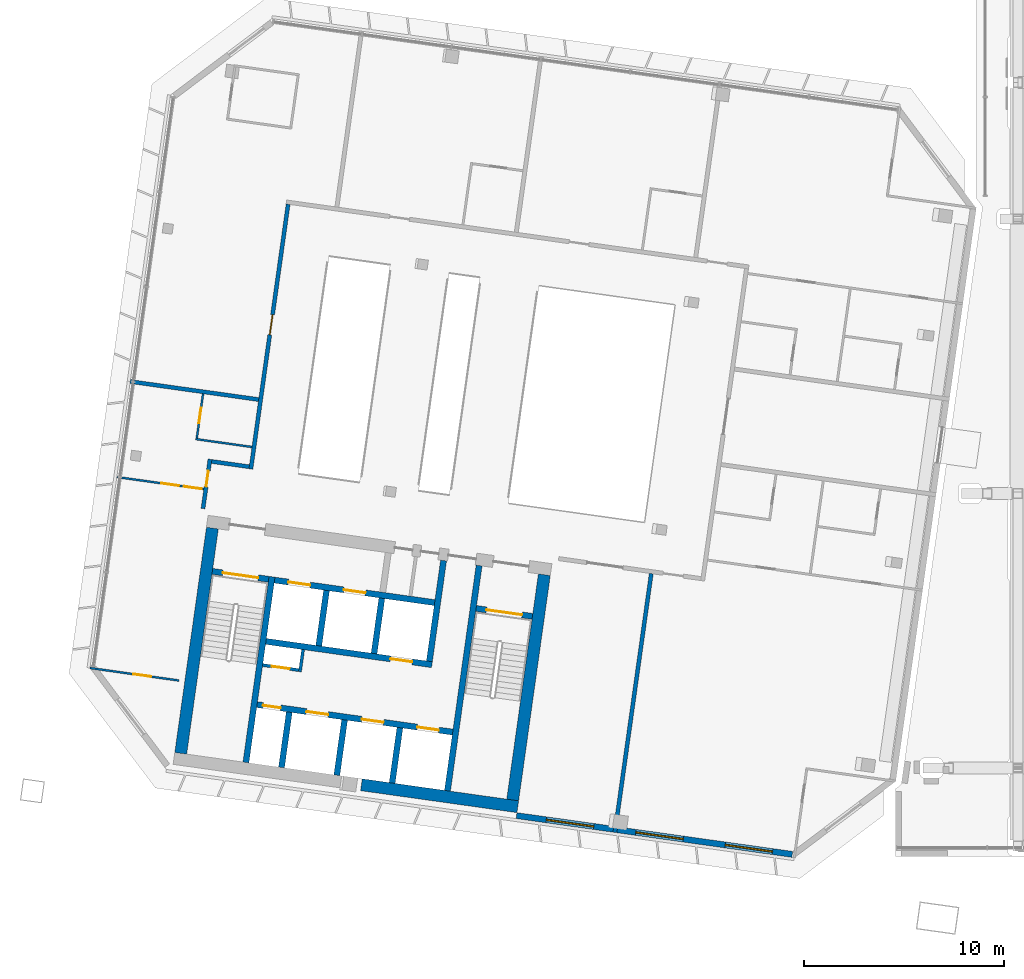
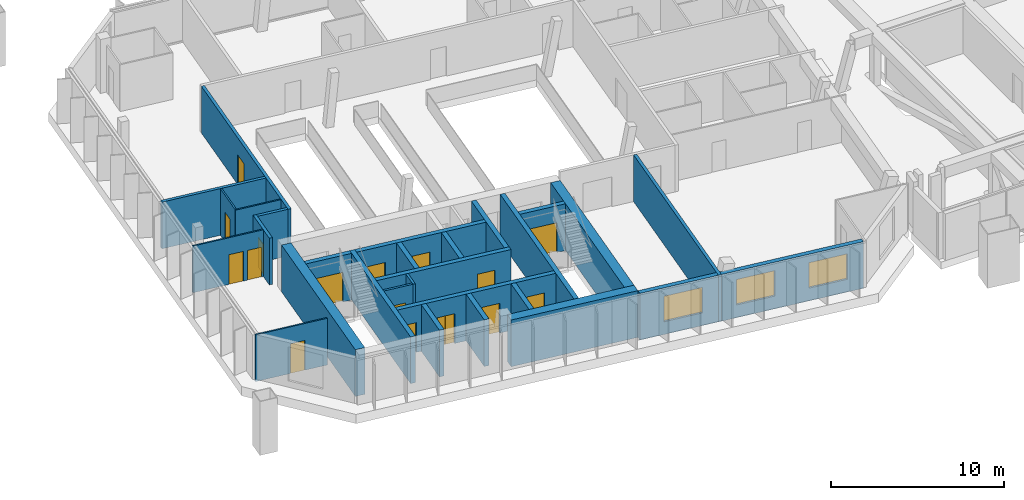
# One storey, part 18 of 30: 28 walls, 16 doors, 3 windows, 19 openings.
"""IFC4 building model written with IfcOpenShell, lengths in metres."""

from ifc_helpers import new_model, si_unit, direction, frame, frame_2d, origin, place, context, subcontext, project, spatial, rectangle, extrude, material, layer, layer_set, type_object, element, fill, save


model = new_model("IFC4")

# Units and contexts
model_context = context("Model", 3, precision=1e-05, world=origin(), true_north=direction((0.0, 1.0)))
body_context = subcontext(model_context, "Body", "Model", "MODEL_VIEW")
ifc_project = project(units=[si_unit("LENGTHUNIT", "METRE"), si_unit("AREAUNIT", "SQUARE_METRE"), si_unit("VOLUMEUNIT", "CUBIC_METRE"), si_unit("PLANEANGLEUNIT", "RADIAN"), si_unit("MASSUNIT", "GRAM", prefix="KILO")], contexts=[model_context])

# Site, building, storey
site_placement = place(None, origin())
site = spatial("IfcSite", under=ifc_project, at=site_placement, CompositionType="ELEMENT")
building_placement = place(site_placement, origin())
building = spatial("IfcBuilding", under=site, at=building_placement, Name="Mirante Cascada Hotel Towers", CompositionType="ELEMENT")
storey_placement = place(building_placement, frame((0.0, 0.0, 258.4)))
storey = spatial("IfcBuildingStorey", under=building, at=storey_placement, Name="L62", CompositionType="ELEMENT", Elevation=258.4)

# Walls
ifc_material_1 = material(Name="Fire-rated plasterboard on metal studs")
ifc_layer_1 = layer(ifc_material_1, 0.2)
ifc_layer_set_1 = layer_set([ifc_layer_1], Name="Compartment wall 200 EI 120")
wall_type_1 = type_object("IfcWallType", Name="Compartment wall 200 EI 120", PredefinedType="PARTITIONING", material=ifc_layer_set_1)
wall_1_placement = place(storey_placement, frame((-52.6552, -2.2494, 0.0), z_axis=(0.0, 0.0, 1.0), x_axis=(0.9902628, -0.1392105, 0.0)))
element("IfcWall", 1, at=wall_1_placement, inside=storey, type_object=wall_type_1, Name="Wall 1-L62-06", PredefinedType="PARTITIONING", context=body_context, shape_type="SweptSolid", body=[
    extrude(rectangle(XDim=1.9, YDim=0.2, at=frame_2d((0.95, 0.0))), origin(), (0.0, 0.0, 1.0), 3.3),
])
wall_2_placement = place(storey_placement, frame((-50.3005, 0.853, 0.0), z_axis=(0.0, 0.0, 1.0), x_axis=(-0.9902664, 0.1391853, 0.0)))
element("IfcWall", 2, at=wall_2_placement, inside=storey, type_object=wall_type_1, Name="Wall 1-L62-11", PredefinedType="PARTITIONING", context=body_context, shape_type="SweptSolid", body=[
    extrude(rectangle(XDim=6.5, YDim=0.2, at=frame_2d((3.25, 0.0))), origin(), (0.0, 0.0, 1.0), 3.3),
])
wall_3_placement = place(storey_placement, frame((-32.4464, -20.8429, 0.0), z_axis=(0.0, 0.0, 1.0), x_axis=(0.1391682, 0.9902688, 0.0)))
element("IfcWall", 3, at=wall_3_placement, inside=storey, type_object=wall_type_1, Name="Wall 1-L62-31", PredefinedType="PARTITIONING", context=body_context, shape_type="SweptSolid", body=[
    extrude(rectangle(XDim=13.1, YDim=0.2, at=frame_2d((6.55, 0.0))), origin(), (0.0, 0.0, 1.0), 3.3),
])

# Wall, opening, door
wall_4_placement = place(storey_placement, frame((-50.6886, -2.6268, 0.0), z_axis=(0.0, 0.0, 1.0), x_axis=(0.1391716, 0.9902683, 0.0)))
wall_4 = element("IfcWall", 4, at=wall_4_placement, inside=storey, type_object=wall_type_1, Name="Wall 1-L62-37", PredefinedType="PARTITIONING", context=body_context, shape_type="SweptSolid", body=[
    extrude(rectangle(XDim=13.4, YDim=0.2, at=frame_2d((6.7, 0.0))), origin(), (0.0, 0.0, 1.0), 3.3),
])
opening_1_placement = place(wall_4_placement, frame((6.8, 0.0, 0.0)))
opening_1 = element("IfcOpeningElement", 5, at=opening_1_placement, cuts=wall_4, Name="Opening D1-L62-22", PredefinedType="OPENING", context=body_context, shape_type="SweptSolid", body=[
    extrude(rectangle(XDim=1.0, YDim=2.1, at=frame_2d((0.5, 1.05))), frame((0.0, 0.1, 0.0), z_axis=(0.0, -1.0, 0.0), x_axis=(1.0, 0.0, 0.0)), (0.0, 0.0, 1.0), 0.2),
])
ifc_material_2 = material(Name="Fire-rated timber door leaf", Category="wood")
door_type_1 = type_object("IfcDoorType", Name="Entrance door DG1 1000x2100 EI 60", OperationType="SINGLE_SWING_LEFT", PredefinedType="DOOR", material=ifc_material_2)
door_1_placement = place(opening_1_placement, origin())
door_1 = element("IfcDoor", 6, at=door_1_placement, inside=storey, type_object=door_type_1, Name="Door D1-L62-22", OperationType="SINGLE_SWING_LEFT", OverallHeight=2.1, OverallWidth=1.0, PredefinedType="DOOR", context=body_context, shape_type="SweptSolid", body=[
    extrude(rectangle(XDim=1.0, YDim=2.1, at=frame_2d((0.5, 1.05))), frame((0.0, 0.025, 0.0), z_axis=(0.0, -1.0, 0.0), x_axis=(1.0, 0.0, 0.0)), (0.0, 0.0, 1.0), 0.05),
])
fill(opening_1, door_1)

wall_5_placement = place(storey_placement, frame((-53.0882, -4.6122, 0.0), z_axis=(0.0, 0.0, 1.0), x_axis=(0.1391586, 0.9902701, 0.0)))
wall_5 = element("IfcWall", 7, at=wall_5_placement, inside=storey, type_object=wall_type_1, Name="Wall 1-L62-39", PredefinedType="PARTITIONING", context=body_context, shape_type="SweptSolid", body=[
    extrude(rectangle(XDim=2.5, YDim=0.2, at=frame_2d((1.25, 0.0))), origin(), (0.0, 0.0, 1.0), 3.3),
])
opening_2_placement = place(wall_5_placement, frame((1.1167, 0.0, 0.0)))
opening_2 = element("IfcOpeningElement", 8, at=opening_2_placement, cuts=wall_5, Name="Opening D1-L62-23", PredefinedType="OPENING", context=body_context, shape_type="SweptSolid", body=[
    extrude(rectangle(XDim=0.8, YDim=2.1, at=frame_2d((0.4, 1.05))), frame((0.0, 0.1, 0.0), z_axis=(0.0, -1.0, 0.0), x_axis=(1.0, 0.0, 0.0)), (0.0, 0.0, 1.0), 0.2),
])
ifc_material_3 = material(Name="Fire-rated timber door leaf", Category="wood")
door_type_2 = type_object("IfcDoorType", Name="Bathroom door DG4 800x2100 EI 60", OperationType="SINGLE_SWING_LEFT", PredefinedType="DOOR", material=ifc_material_3)
door_2_placement = place(opening_2_placement, frame((0.8, 0.0, 0.0), z_axis=(0.0, 0.0, 1.0), x_axis=(-1.0, 0.0, 0.0)))
door_2 = element("IfcDoor", 9, at=door_2_placement, inside=storey, type_object=door_type_2, Name="Door D1-L62-23", OperationType="SINGLE_SWING_RIGHT", OverallHeight=2.1, OverallWidth=0.8, PredefinedType="DOOR", context=body_context, shape_type="SweptSolid", body=[
    extrude(rectangle(XDim=0.8, YDim=2.1, at=frame_2d((0.4, 1.05))), frame((0.0, 0.025, 0.0), z_axis=(0.0, -1.0, 0.0), x_axis=(1.0, 0.0, 0.0)), (0.0, 0.0, 1.0), 0.05),
])
fill(opening_2, door_2)

# Wall
ifc_material_4 = material(Name="Masonry block", Category="masonry")
ifc_layer_2 = layer(ifc_material_4, 0.15)
ifc_layer_set_2 = layer_set([ifc_layer_2], Name="Core room partition 150 block EI 30")
wall_type_2 = type_object("IfcWallType", Name="Core room partition 150 block EI 30", PredefinedType="PARTITIONING", material=ifc_layer_set_2)
wall_6_placement = place(storey_placement, frame((-48.2295, -12.793, 0.0), z_axis=(0.0, 0.0, 1.0), x_axis=(0.1391935, 0.9902652, 0.0)))
element("IfcWall", 10, at=wall_6_placement, inside=storey, type_object=wall_type_2, Name="Core wall partition T1 L62 2", PredefinedType="PARTITIONING", context=body_context, shape_type="SweptSolid", body=[
    extrude(rectangle(XDim=1.1251, YDim=0.15, at=frame_2d((0.5626, 0.0))), origin(), (0.0, 0.0, 1.0), 3.3),
])

# Wall, opening, door
wall_7_placement = place(storey_placement, frame((-48.2933, -12.7083, 0.0), z_axis=(0.0, 0.0, 1.0), x_axis=(-0.990268, 0.1391734, 0.0)))
wall_7 = element("IfcWall", 11, at=wall_7_placement, inside=storey, type_object=wall_type_2, Name="Core wall partition T1 L62 3", PredefinedType="PARTITIONING", context=body_context, shape_type="SweptSolid", body=[
    extrude(rectangle(XDim=1.8251, YDim=0.15, at=frame_2d((0.9126, 0.0))), origin(), (0.0, 0.0, 1.0), 3.3),
])
opening_3_placement = place(wall_7_placement, frame((0.4625, 0.0, 0.0)))
opening_3 = element("IfcOpeningElement", 12, at=opening_3_placement, cuts=wall_7, Name="Opening D1-62-C13", PredefinedType="OPENING", context=body_context, shape_type="SweptSolid", body=[
    extrude(rectangle(XDim=0.9, YDim=2.1, at=frame_2d((0.45, 1.05))), frame((0.0, 0.075, 0.0), z_axis=(0.0, -1.0, 0.0), x_axis=(1.0, 0.0, 0.0)), (0.0, 0.0, 1.0), 0.15),
])
ifc_material_5 = material(Name="Hollow metal fire door leaf")
door_type_3 = type_object("IfcDoorType", Name="Fire door 900x2100 FD60", OperationType="NOTDEFINED", PredefinedType="DOOR", material=ifc_material_5)
door_3_placement = place(opening_3_placement, origin())
door_3 = element("IfcDoor", 13, at=door_3_placement, inside=storey, type_object=door_type_3, Name="Riser door T1 L62 13", OperationType="SINGLE_SWING_LEFT", OverallHeight=2.1, OverallWidth=0.9, PredefinedType="DOOR", context=body_context, shape_type="SweptSolid", body=[
    extrude(rectangle(XDim=0.9, YDim=2.1, at=frame_2d((0.45, 1.05))), frame((0.0, 0.025, 0.0), z_axis=(0.0, -1.0, 0.0), x_axis=(1.0, 0.0, 0.0)), (0.0, 0.0, 1.0), 0.05),
])
fill(opening_3, door_3)

ifc_material_6 = material(Name="Plasterboard on metal studs")
ifc_layer_3 = layer(ifc_material_6, 0.1)
ifc_layer_set_3 = layer_set([ifc_layer_3], Name="Partition 100")
wall_type_3 = type_object("IfcWallType", Name="Partition 100", PredefinedType="PARTITIONING", material=ifc_layer_set_3)
wall_8_placement = place(storey_placement, frame((-58.7552, -12.6012, 0.0), z_axis=(0.0, 0.0, 1.0), x_axis=(0.9902674, -0.1391779, 0.0)))
wall_8 = element("IfcWall", 14, at=wall_8_placement, inside=storey, type_object=wall_type_3, Name="Wall 1-L62-02", PredefinedType="PARTITIONING", context=body_context, shape_type="SweptSolid", body=[
    extrude(rectangle(XDim=4.5, YDim=0.1, at=frame_2d((2.25, 0.0))), origin(), (0.0, 0.0, 1.0), 3.3),
])
opening_4_placement = place(wall_8_placement, frame((2.19, 0.0, 0.0)))
opening_4 = element("IfcOpeningElement", 15, at=opening_4_placement, cuts=wall_8, Name="Opening D1-L62-01", PredefinedType="OPENING", context=body_context, shape_type="SweptSolid", body=[
    extrude(rectangle(XDim=0.9, YDim=2.1, at=frame_2d((0.45, 1.05))), frame((0.0, 0.05, 0.0), z_axis=(0.0, -1.0, 0.0), x_axis=(1.0, 0.0, 0.0)), (0.0, 0.0, 1.0), 0.1),
])
ifc_material_7 = material(Name="Timber door leaf", Category="wood")
door_type_4 = type_object("IfcDoorType", Name="Room door DG3 900x2100", OperationType="SINGLE_SWING_LEFT", PredefinedType="DOOR", material=ifc_material_7)
door_4_placement = place(opening_4_placement, origin())
door_4 = element("IfcDoor", 16, at=door_4_placement, inside=storey, type_object=door_type_4, Name="Door D1-L62-01", OperationType="SINGLE_SWING_LEFT", OverallHeight=2.1, OverallWidth=0.9, PredefinedType="DOOR", context=body_context, shape_type="SweptSolid", body=[
    extrude(rectangle(XDim=0.9, YDim=2.1, at=frame_2d((0.45, 1.05))), frame((0.0, 0.025, 0.0), z_axis=(0.0, -1.0, 0.0), x_axis=(1.0, 0.0, 0.0)), (0.0, 0.0, 1.0), 0.05),
])
fill(opening_4, door_4)

# Wall, openings, doors
wall_9_placement = place(storey_placement, frame((-53.0527, -3.641, 0.0), z_axis=(0.0, 0.0, 1.0), x_axis=(-0.990267, 0.139181, 0.0)))
wall_9 = element("IfcWall", 17, at=wall_9_placement, inside=storey, type_object=wall_type_3, Name="Wall 1-L62-05", PredefinedType="PARTITIONING", context=body_context, shape_type="SweptSolid", body=[
    extrude(rectangle(XDim=4.4, YDim=0.1, at=frame_2d((2.2, 0.0))), origin(), (0.0, 0.0, 1.0), 3.3),
])
opening_5_placement = place(wall_9_placement, frame((0.1, 0.0, 0.0)))
opening_5 = element("IfcOpeningElement", 18, at=opening_5_placement, cuts=wall_9, Name="Opening D1-L62-06", PredefinedType="OPENING", context=body_context, shape_type="SweptSolid", body=[
    extrude(rectangle(XDim=0.9, YDim=2.1, at=frame_2d((0.45, 1.05))), frame((0.0, 0.05, 0.0), z_axis=(0.0, -1.0, 0.0), x_axis=(1.0, 0.0, 0.0)), (0.0, 0.0, 1.0), 0.1),
])
opening_6_placement = place(wall_9_placement, frame((1.25, 0.0, 0.0)))
opening_6 = element("IfcOpeningElement", 19, at=opening_6_placement, cuts=wall_9, Name="Opening D1-L62-07", PredefinedType="OPENING", context=body_context, shape_type="SweptSolid", body=[
    extrude(rectangle(XDim=0.9, YDim=2.1, at=frame_2d((0.45, 1.05))), frame((0.0, 0.05, 0.0), z_axis=(0.0, -1.0, 0.0), x_axis=(1.0, 0.0, 0.0)), (0.0, 0.0, 1.0), 0.1),
])
door_5_placement = place(opening_5_placement, origin())
door_5 = element("IfcDoor", 20, at=door_5_placement, inside=storey, type_object=door_type_4, Name="Door D1-L62-06", OperationType="SINGLE_SWING_LEFT", OverallHeight=2.1, OverallWidth=0.9, PredefinedType="DOOR", context=body_context, shape_type="SweptSolid", body=[
    extrude(rectangle(XDim=0.9, YDim=2.1, at=frame_2d((0.45, 1.05))), frame((0.0, 0.025, 0.0), z_axis=(0.0, -1.0, 0.0), x_axis=(1.0, 0.0, 0.0)), (0.0, 0.0, 1.0), 0.05),
])
fill(opening_5, door_5)
door_6_placement = place(opening_6_placement, origin())
door_6 = element("IfcDoor", 21, at=door_6_placement, inside=storey, type_object=door_type_4, Name="Door D1-L62-07", OperationType="SINGLE_SWING_LEFT", OverallHeight=2.1, OverallWidth=0.9, PredefinedType="DOOR", context=body_context, shape_type="SweptSolid", body=[
    extrude(rectangle(XDim=0.9, YDim=2.1, at=frame_2d((0.45, 1.05))), frame((0.0, 0.025, 0.0), z_axis=(0.0, -1.0, 0.0), x_axis=(1.0, 0.0, 0.0)), (0.0, 0.0, 1.0), 0.05),
])
fill(opening_6, door_6)

# Wall
wall_10_placement = place(storey_placement, frame((-50.6345, -1.5236, 0.0), z_axis=(0.0, 0.0, 1.0), x_axis=(-0.9902704, 0.1391564, 0.0)))
element("IfcWall", 22, at=wall_10_placement, inside=storey, type_object=wall_type_3, Name="Wall 1-L62-09", PredefinedType="PARTITIONING", context=body_context, shape_type="SweptSolid", body=[
    extrude(rectangle(XDim=2.85, YDim=0.1, at=frame_2d((1.425, 0.0))), origin(), (0.0, 0.0, 1.0), 3.3),
])

# Wall, opening, door
wall_11_placement = place(storey_placement, frame((-53.0872, 1.1437, 0.0), z_axis=(0.0, 0.0, 1.0), x_axis=(-0.1391561, -0.9902705, 0.0)))
wall_11 = element("IfcWall", 23, at=wall_11_placement, inside=storey, type_object=wall_type_3, Name="Wall 1-L62-40", PredefinedType="PARTITIONING", context=body_context, shape_type="SweptSolid", body=[
    extrude(rectangle(XDim=2.25, YDim=0.1, at=frame_2d((1.125, 0.0))), origin(), (0.0, 0.0, 1.0), 3.3),
])
opening_7_placement = place(wall_11_placement, frame((0.7, 0.0, 0.0)))
opening_7 = element("IfcOpeningElement", 24, at=opening_7_placement, cuts=wall_11, Name="Opening D1-L62-24", PredefinedType="OPENING", context=body_context, shape_type="SweptSolid", body=[
    extrude(rectangle(XDim=0.8, YDim=2.1, at=frame_2d((0.4, 1.05))), frame((0.0, 0.05, 0.0), z_axis=(0.0, -1.0, 0.0), x_axis=(1.0, 0.0, 0.0)), (0.0, 0.0, 1.0), 0.1),
])
ifc_material_8 = material(Name="Timber door leaf", Category="wood")
door_type_5 = type_object("IfcDoorType", Name="Bathroom door DG4 800x2100", OperationType="SINGLE_SWING_LEFT", PredefinedType="DOOR", material=ifc_material_8)
door_7_placement = place(opening_7_placement, frame((0.8, 0.0, 0.0), z_axis=(0.0, 0.0, 1.0), x_axis=(-1.0, 0.0, 0.0)))
door_7 = element("IfcDoor", 25, at=door_7_placement, inside=storey, type_object=door_type_5, Name="Door D1-L62-24", OperationType="SINGLE_SWING_RIGHT", OverallHeight=2.1, OverallWidth=0.8, PredefinedType="DOOR", context=body_context, shape_type="SweptSolid", body=[
    extrude(rectangle(XDim=0.8, YDim=2.1, at=frame_2d((0.4, 1.05))), frame((0.0, 0.025, 0.0), z_axis=(0.0, -1.0, 0.0), x_axis=(1.0, 0.0, 0.0)), (0.0, 0.0, 1.0), 0.05),
])
fill(opening_7, door_7)

# Wall, openings, windows
ifc_material_9 = material(Name="Precast concrete C40/50", Category="concrete")
ifc_layer_4 = layer(ifc_material_9, 0.3)
ifc_layer_set_4 = layer_set([ifc_layer_4], Name="Precast concrete C40/50 cladding wall 300")
wall_type_4 = type_object("IfcWallType", Name="Precast concrete C40/50 cladding wall 300", PredefinedType="STANDARD", material=ifc_layer_set_4)
wall_12_placement = place(storey_placement, frame((-23.557, -21.9408, 0.0), z_axis=(0.0, 0.0, 1.0), x_axis=(-0.9902674, 0.1391779, 0.0)))
wall_12 = element("IfcWall", 26, at=wall_12_placement, inside=storey, type_object=wall_type_4, Name="Rear cladding wall T1 L62 1", PredefinedType="STANDARD", context=body_context, shape_type="SweptSolid", body=[
    extrude(rectangle(XDim=13.9555, YDim=0.3, at=frame_2d((6.9778, 0.0))), origin(), (0.0, 0.0, 1.0), 3.3),
])
opening_8_placement = place(wall_12_placement, frame((0.9991, 0.0, 0.9)))
opening_8 = element("IfcOpeningElement", 27, at=opening_8_placement, cuts=wall_12, Name="Opening W1-62-01", PredefinedType="OPENING", context=body_context, shape_type="SweptSolid", body=[
    extrude(rectangle(XDim=2.4, YDim=1.8, at=frame_2d((1.2, 0.9))), frame((0.0, 0.15, 0.0), z_axis=(0.0, -1.0, 0.0), x_axis=(1.0, 0.0, 0.0)), (0.0, 0.0, 1.0), 0.3),
])
opening_9_placement = place(wall_12_placement, frame((5.5213, 0.0, 0.9)))
opening_9 = element("IfcOpeningElement", 28, at=opening_9_placement, cuts=wall_12, Name="Opening W1-62-02", PredefinedType="OPENING", context=body_context, shape_type="SweptSolid", body=[
    extrude(rectangle(XDim=2.4, YDim=1.8, at=frame_2d((1.2, 0.9))), frame((0.0, 0.15, 0.0), z_axis=(0.0, -1.0, 0.0), x_axis=(1.0, 0.0, 0.0)), (0.0, 0.0, 1.0), 0.3),
])
opening_10_placement = place(wall_12_placement, frame((10.0435, 0.0, 0.9)))
opening_10 = element("IfcOpeningElement", 29, at=opening_10_placement, cuts=wall_12, Name="Opening W1-62-03", PredefinedType="OPENING", context=body_context, shape_type="SweptSolid", body=[
    extrude(rectangle(XDim=2.4, YDim=1.8, at=frame_2d((1.2, 0.9))), frame((0.0, 0.15, 0.0), z_axis=(0.0, -1.0, 0.0), x_axis=(1.0, 0.0, 0.0)), (0.0, 0.0, 1.0), 0.3),
])
ifc_material_10 = material(Name="Aluminium frame with clear double glazing", Category="aluminium")
window_type = type_object("IfcWindowType", Name="Punched window 2400x1800", PartitioningType="DOUBLE_PANEL_VERTICAL", PredefinedType="WINDOW", material=ifc_material_10)
window_1_placement = place(opening_8_placement, origin())
window_1 = element("IfcWindow", 30, at=window_1_placement, inside=storey, type_object=window_type, Name="Window W1-62-01", OverallHeight=1.8, OverallWidth=2.4, PartitioningType="SINGLE_PANEL", PredefinedType="WINDOW", context=body_context, shape_type="SweptSolid", body=[
    extrude(rectangle(XDim=2.4, YDim=1.8, at=frame_2d((1.2, 0.9))), frame((0.0, 0.03, 0.0), z_axis=(0.0, -1.0, 0.0), x_axis=(1.0, 0.0, 0.0)), (0.0, 0.0, 1.0), 0.06),
])
fill(opening_8, window_1)
window_2_placement = place(opening_9_placement, origin())
window_2 = element("IfcWindow", 31, at=window_2_placement, inside=storey, type_object=window_type, Name="Window W1-62-02", OverallHeight=1.8, OverallWidth=2.4, PartitioningType="SINGLE_PANEL", PredefinedType="WINDOW", context=body_context, shape_type="SweptSolid", body=[
    extrude(rectangle(XDim=2.4, YDim=1.8, at=frame_2d((1.2, 0.9))), frame((0.0, 0.03, 0.0), z_axis=(0.0, -1.0, 0.0), x_axis=(1.0, 0.0, 0.0)), (0.0, 0.0, 1.0), 0.06),
])
fill(opening_9, window_2)
window_3_placement = place(opening_10_placement, origin())
window_3 = element("IfcWindow", 32, at=window_3_placement, inside=storey, type_object=window_type, Name="Window W1-62-03", OverallHeight=1.8, OverallWidth=2.4, PartitioningType="SINGLE_PANEL", PredefinedType="WINDOW", context=body_context, shape_type="SweptSolid", body=[
    extrude(rectangle(XDim=2.4, YDim=1.8, at=frame_2d((1.2, 0.9))), frame((0.0, 0.03, 0.0), z_axis=(0.0, -1.0, 0.0), x_axis=(1.0, 0.0, 0.0)), (0.0, 0.0, 1.0), 0.06),
])
fill(opening_10, window_3)

# Walls
ifc_material_11 = material(Name="Concrete C50/60", Category="concrete")
ifc_layer_5 = layer(ifc_material_11, 0.3)
ifc_layer_set_5 = layer_set([ifc_layer_5], Name="RC core wall 300 C50/60")
wall_type_5 = type_object("IfcWallType", Name="RC core wall 300 C50/60", PredefinedType="SHEAR", material=ifc_layer_set_5)
wall_13_placement = place(storey_placement, frame((-40.8373, -18.7548, 0.0), z_axis=(0.0, 0.0, 1.0), x_axis=(0.1391749, 0.9902678, 0.0)))
element("IfcWall", 33, at=wall_13_placement, inside=storey, type_object=wall_type_5, Name="Core wall T1:L62:5", PredefinedType="SHEAR", context=body_context, shape_type="SweptSolid", body=[
    extrude(rectangle(XDim=11.4, YDim=0.3, at=frame_2d((5.7, 0.0))), origin(), (0.0, 0.0, 1.0), 3.3),
])
wall_14_placement = place(storey_placement, frame((-50.938, -17.3352, 0.0), z_axis=(0.0, 0.0, 1.0), x_axis=(0.1391706, 0.9902684, 0.0)))
element("IfcWall", 34, at=wall_14_placement, inside=storey, type_object=wall_type_5, Name="Core wall T1:L62:6", PredefinedType="SHEAR", context=body_context, shape_type="SweptSolid", body=[
    extrude(rectangle(XDim=9.4, YDim=0.3, at=frame_2d((4.7, 0.0))), origin(), (0.0, 0.0, 1.0), 3.3),
])

# Wall, opening, door
wall_15_placement = place(storey_placement, frame((-36.5791, -10.0123, 0.0), z_axis=(0.0, 0.0, 1.0), x_axis=(-0.9902704, 0.1391564, 0.0)))
wall_15 = element("IfcWall", 35, at=wall_15_placement, inside=storey, type_object=wall_type_5, Name="Core wall T1:L62:7", PredefinedType="SHEAR", context=body_context, shape_type="SweptSolid", body=[
    extrude(rectangle(XDim=2.85, YDim=0.3, at=frame_2d((1.425, 0.0))), origin(), (0.0, 0.0, 1.0), 3.3),
])
opening_11_placement = place(wall_15_placement, frame((0.525, 0.0, 0.0)))
opening_11 = element("IfcOpeningElement", 36, at=opening_11_placement, cuts=wall_15, Name="Opening D1-62-C07", PredefinedType="OPENING", context=body_context, shape_type="SweptSolid", body=[
    extrude(rectangle(XDim=1.8, YDim=2.1, at=frame_2d((0.9, 1.05))), frame((0.0, 0.15, 0.0), z_axis=(0.0, -1.0, 0.0), x_axis=(1.0, 0.0, 0.0)), (0.0, 0.0, 1.0), 0.3),
])
ifc_material_12 = material(Name="Hollow metal fire door leaf")
door_type_6 = type_object("IfcDoorType", Name="Double fire door 1800x2100 FD60", OperationType="DOUBLE_DOOR_SINGLE_SWING", PredefinedType="DOOR", material=ifc_material_12)
door_8_placement = place(opening_11_placement, origin())
door_8 = element("IfcDoor", 37, at=door_8_placement, inside=storey, type_object=door_type_6, Name="Stair door T1 L62 7", OperationType="DOUBLE_DOOR_SINGLE_SWING", OverallHeight=2.1, OverallWidth=1.8, PredefinedType="DOOR", context=body_context, shape_type="SweptSolid", body=[
    extrude(rectangle(XDim=0.895, YDim=2.1, at=frame_2d((0.4475, 1.05))), frame((0.0, 0.025, 0.0), z_axis=(0.0, -1.0, 0.0), x_axis=(1.0, 0.0, 0.0)), (0.0, 0.0, 1.0), 0.05),
    extrude(rectangle(XDim=0.895, YDim=2.1, at=frame_2d((1.3525, 1.05))), frame((0.0, 0.025, 0.0), z_axis=(0.0, -1.0, 0.0), x_axis=(1.0, 0.0, 0.0)), (0.0, 0.0, 1.0), 0.05),
])
fill(opening_11, door_8)

wall_16_placement = place(storey_placement, frame((-49.7992, -8.1544, 0.0), z_axis=(0.0, 0.0, 1.0), x_axis=(-0.9902656, 0.1391909, 0.0)))
wall_16 = element("IfcWall", 38, at=wall_16_placement, inside=storey, type_object=wall_type_5, Name="Core wall T1:L62:8", PredefinedType="SHEAR", context=body_context, shape_type="SweptSolid", body=[
    extrude(rectangle(XDim=2.85, YDim=0.3, at=frame_2d((1.425, 0.0))), origin(), (0.0, 0.0, 1.0), 3.3),
])
opening_12_placement = place(wall_16_placement, frame((0.525, 0.0, 0.0)))
opening_12 = element("IfcOpeningElement", 39, at=opening_12_placement, cuts=wall_16, Name="Opening D1-62-C09", PredefinedType="OPENING", context=body_context, shape_type="SweptSolid", body=[
    extrude(rectangle(XDim=1.8, YDim=2.1, at=frame_2d((0.9, 1.05))), frame((0.0, 0.15, 0.0), z_axis=(0.0, -1.0, 0.0), x_axis=(1.0, 0.0, 0.0)), (0.0, 0.0, 1.0), 0.3),
])
door_9_placement = place(opening_12_placement, origin())
door_9 = element("IfcDoor", 40, at=door_9_placement, inside=storey, type_object=door_type_6, Name="Stair door T1 L62 9", OperationType="DOUBLE_DOOR_SINGLE_SWING", OverallHeight=2.1, OverallWidth=1.8, PredefinedType="DOOR", context=body_context, shape_type="SweptSolid", body=[
    extrude(rectangle(XDim=0.895, YDim=2.1, at=frame_2d((0.4475, 1.05))), frame((0.0, 0.025, 0.0), z_axis=(0.0, -1.0, 0.0), x_axis=(1.0, 0.0, 0.0)), (0.0, 0.0, 1.0), 0.05),
    extrude(rectangle(XDim=0.895, YDim=2.1, at=frame_2d((1.3525, 1.05))), frame((0.0, 0.025, 0.0), z_axis=(0.0, -1.0, 0.0), x_axis=(1.0, 0.0, 0.0)), (0.0, 0.0, 1.0), 0.05),
])
fill(opening_12, door_9)

# Wall, openings, doors
wall_17_placement = place(storey_placement, frame((-40.5753, -15.8126, 0.0), z_axis=(0.0, 0.0, 1.0), x_axis=(-0.9902682, 0.1391725, 0.0)))
wall_17 = element("IfcWall", 41, at=wall_17_placement, inside=storey, type_object=wall_type_5, Name="Core wall T1:L62:9", PredefinedType="SHEAR", context=body_context, shape_type="SweptSolid", body=[
    extrude(rectangle(XDim=9.8999, YDim=0.3, at=frame_2d((4.95, 0.0))), origin(), (0.0, 0.0, 1.0), 3.3),
])
opening_13_placement = place(wall_17_placement, frame((0.7, 0.0, 0.0)))
opening_13 = element("IfcOpeningElement", 42, at=opening_13_placement, cuts=wall_17, Name="Opening LD", PredefinedType="OPENING", context=body_context, shape_type="SweptSolid", body=[
    extrude(rectangle(XDim=1.1, YDim=2.1, at=frame_2d((0.55, 1.05))), frame((0.0, 0.15, 0.0), z_axis=(0.0, -1.0, 0.0), x_axis=(1.0, 0.0, 0.0)), (0.0, 0.0, 1.0), 0.3),
])
opening_14_placement = place(wall_17_placement, frame((3.5, 0.0, 0.0)))
opening_14 = element("IfcOpeningElement", 43, at=opening_14_placement, cuts=wall_17, Name="Opening LD", PredefinedType="OPENING", context=body_context, shape_type="SweptSolid", body=[
    extrude(rectangle(XDim=1.1, YDim=2.1, at=frame_2d((0.55, 1.05))), frame((0.0, 0.15, 0.0), z_axis=(0.0, -1.0, 0.0), x_axis=(1.0, 0.0, 0.0)), (0.0, 0.0, 1.0), 0.3),
])
opening_15_placement = place(wall_17_placement, frame((6.3, 0.0, 0.0)))
opening_15 = element("IfcOpeningElement", 44, at=opening_15_placement, cuts=wall_17, Name="Opening LD", PredefinedType="OPENING", context=body_context, shape_type="SweptSolid", body=[
    extrude(rectangle(XDim=1.1, YDim=2.1, at=frame_2d((0.55, 1.05))), frame((0.0, 0.15, 0.0), z_axis=(0.0, -1.0, 0.0), x_axis=(1.0, 0.0, 0.0)), (0.0, 0.0, 1.0), 0.3),
])
opening_16_placement = place(wall_17_placement, frame((8.7, 0.0, 0.0)))
opening_16 = element("IfcOpeningElement", 45, at=opening_16_placement, cuts=wall_17, Name="Opening D1-62-C12", PredefinedType="OPENING", context=body_context, shape_type="SweptSolid", body=[
    extrude(rectangle(XDim=0.9, YDim=2.1, at=frame_2d((0.45, 1.05))), frame((0.0, 0.15, 0.0), z_axis=(0.0, -1.0, 0.0), x_axis=(1.0, 0.0, 0.0)), (0.0, 0.0, 1.0), 0.3),
])
door_10_placement = place(opening_16_placement, origin())
door_10 = element("IfcDoor", 46, at=door_10_placement, inside=storey, type_object=door_type_3, Name="Riser door T1 L62 12", OperationType="SINGLE_SWING_LEFT", OverallHeight=2.1, OverallWidth=0.9, PredefinedType="DOOR", context=body_context, shape_type="SweptSolid", body=[
    extrude(rectangle(XDim=0.9, YDim=2.1, at=frame_2d((0.45, 1.05))), frame((0.0, 0.025, 0.0), z_axis=(0.0, -1.0, 0.0), x_axis=(1.0, 0.0, 0.0)), (0.0, 0.0, 1.0), 0.05),
])
fill(opening_16, door_10)
ifc_material_13 = material(Name="Stainless steel", Category="steel")
door_type_7 = type_object("IfcDoorType", Name="Lift landing door 1100x2100 EI 120", OperationType="DOUBLE_DOOR_SLIDING", PredefinedType="DOOR", material=ifc_material_13)
door_11_placement = place(opening_13_placement, origin())
door_11 = element("IfcDoor", 47, at=door_11_placement, inside=storey, type_object=door_type_7, Name="Lift landing door HR1-1 L62", OperationType="DOUBLE_DOOR_SLIDING", OverallHeight=2.1, OverallWidth=1.1, PredefinedType="DOOR", context=body_context, shape_type="SweptSolid", body=[
    extrude(rectangle(XDim=0.545, YDim=2.1, at=frame_2d((0.2725, 1.05))), frame((0.0, 0.025, 0.0), z_axis=(0.0, -1.0, 0.0), x_axis=(1.0, 0.0, 0.0)), (0.0, 0.0, 1.0), 0.05),
    extrude(rectangle(XDim=0.545, YDim=2.1, at=frame_2d((0.8275, 1.05))), frame((0.0, 0.025, 0.0), z_axis=(0.0, -1.0, 0.0), x_axis=(1.0, 0.0, 0.0)), (0.0, 0.0, 1.0), 0.05),
])
fill(opening_13, door_11)
door_12_placement = place(opening_14_placement, origin())
door_12 = element("IfcDoor", 48, at=door_12_placement, inside=storey, type_object=door_type_7, Name="Lift landing door HR1-2 L62", OperationType="DOUBLE_DOOR_SLIDING", OverallHeight=2.1, OverallWidth=1.1, PredefinedType="DOOR", context=body_context, shape_type="SweptSolid", body=[
    extrude(rectangle(XDim=0.545, YDim=2.1, at=frame_2d((0.2725, 1.05))), frame((0.0, 0.025, 0.0), z_axis=(0.0, -1.0, 0.0), x_axis=(1.0, 0.0, 0.0)), (0.0, 0.0, 1.0), 0.05),
    extrude(rectangle(XDim=0.545, YDim=2.1, at=frame_2d((0.8275, 1.05))), frame((0.0, 0.025, 0.0), z_axis=(0.0, -1.0, 0.0), x_axis=(1.0, 0.0, 0.0)), (0.0, 0.0, 1.0), 0.05),
])
fill(opening_14, door_12)
door_13_placement = place(opening_15_placement, origin())
door_13 = element("IfcDoor", 49, at=door_13_placement, inside=storey, type_object=door_type_7, Name="Lift landing door HR1-3 L62", OperationType="DOUBLE_DOOR_SLIDING", OverallHeight=2.1, OverallWidth=1.1, PredefinedType="DOOR", context=body_context, shape_type="SweptSolid", body=[
    extrude(rectangle(XDim=0.545, YDim=2.1, at=frame_2d((0.2725, 1.05))), frame((0.0, 0.025, 0.0), z_axis=(0.0, -1.0, 0.0), x_axis=(1.0, 0.0, 0.0)), (0.0, 0.0, 1.0), 0.05),
    extrude(rectangle(XDim=0.545, YDim=2.1, at=frame_2d((0.8275, 1.05))), frame((0.0, 0.025, 0.0), z_axis=(0.0, -1.0, 0.0), x_axis=(1.0, 0.0, 0.0)), (0.0, 0.0, 1.0), 0.05),
])
fill(opening_15, door_13)

# Wall, opening, door
wall_18_placement = place(storey_placement, frame((-41.6153, -12.435, 0.0), z_axis=(0.0, 0.0, 1.0), x_axis=(-0.9902691, 0.139166, 0.0)))
wall_18 = element("IfcWall", 50, at=wall_18_placement, inside=storey, type_object=wall_type_5, Name="Core wall T1:L62:10", PredefinedType="SHEAR", context=body_context, shape_type="SweptSolid", body=[
    extrude(rectangle(XDim=8.4, YDim=0.3, at=frame_2d((4.2, 0.0))), origin(), (0.0, 0.0, 1.0), 3.3),
])
opening_17_placement = place(wall_18_placement, frame((1.0, 0.0, 0.0)))
opening_17 = element("IfcOpeningElement", 51, at=opening_17_placement, cuts=wall_18, Name="Opening LD", PredefinedType="OPENING", context=body_context, shape_type="SweptSolid", body=[
    extrude(rectangle(XDim=1.1, YDim=2.1, at=frame_2d((0.55, 1.05))), frame((0.0, 0.15, 0.0), z_axis=(0.0, -1.0, 0.0), x_axis=(1.0, 0.0, 0.0)), (0.0, 0.0, 1.0), 0.3),
])
door_14_placement = place(opening_17_placement, origin())
door_14 = element("IfcDoor", 52, at=door_14_placement, inside=storey, type_object=door_type_7, Name="Lift landing door HR1-4 L62", OperationType="DOUBLE_DOOR_SLIDING", OverallHeight=2.1, OverallWidth=1.1, PredefinedType="DOOR", context=body_context, shape_type="SweptSolid", body=[
    extrude(rectangle(XDim=0.545, YDim=2.1, at=frame_2d((0.2725, 1.05))), frame((0.0, 0.025, 0.0), z_axis=(0.0, -1.0, 0.0), x_axis=(1.0, 0.0, 0.0)), (0.0, 0.0, 1.0), 0.05),
    extrude(rectangle(XDim=0.545, YDim=2.1, at=frame_2d((0.8275, 1.05))), frame((0.0, 0.025, 0.0), z_axis=(0.0, -1.0, 0.0), x_axis=(1.0, 0.0, 0.0)), (0.0, 0.0, 1.0), 0.05),
])
fill(opening_17, door_14)

# Wall, openings, doors
wall_19_placement = place(storey_placement, frame((-41.481, -9.3234, 0.0), z_axis=(0.0, 0.0, 1.0), x_axis=(-0.9902679, 0.1391741, 0.0)))
wall_19 = element("IfcWall", 53, at=wall_19_placement, inside=storey, type_object=wall_type_5, Name="Core wall T1:L62:11", PredefinedType="SHEAR", context=body_context, shape_type="SweptSolid", body=[
    extrude(rectangle(XDim=8.0999, YDim=0.3, at=frame_2d((4.05, 0.0))), origin(), (0.0, 0.0, 1.0), 3.3),
])
opening_18_placement = place(wall_19_placement, frame((3.5, 0.0, 0.0)))
opening_18 = element("IfcOpeningElement", 54, at=opening_18_placement, cuts=wall_19, Name="Opening LD", PredefinedType="OPENING", context=body_context, shape_type="SweptSolid", body=[
    extrude(rectangle(XDim=1.1, YDim=2.1, at=frame_2d((0.55, 1.05))), frame((0.0, 0.15, 0.0), z_axis=(0.0, -1.0, 0.0), x_axis=(1.0, 0.0, 0.0)), (0.0, 0.0, 1.0), 0.3),
])
opening_19_placement = place(wall_19_placement, frame((6.3, 0.0, 0.0)))
opening_19 = element("IfcOpeningElement", 55, at=opening_19_placement, cuts=wall_19, Name="Opening LD", PredefinedType="OPENING", context=body_context, shape_type="SweptSolid", body=[
    extrude(rectangle(XDim=1.1, YDim=2.1, at=frame_2d((0.55, 1.05))), frame((0.0, 0.15, 0.0), z_axis=(0.0, -1.0, 0.0), x_axis=(1.0, 0.0, 0.0)), (0.0, 0.0, 1.0), 0.3),
])
door_15_placement = place(opening_18_placement, origin())
door_15 = element("IfcDoor", 56, at=door_15_placement, inside=storey, type_object=door_type_7, Name="Lift landing door FF1 L62", OperationType="DOUBLE_DOOR_SLIDING", OverallHeight=2.1, OverallWidth=1.1, PredefinedType="DOOR", context=body_context, shape_type="SweptSolid", body=[
    extrude(rectangle(XDim=0.545, YDim=2.1, at=frame_2d((0.2725, 1.05))), frame((0.0, 0.025, 0.0), z_axis=(0.0, -1.0, 0.0), x_axis=(1.0, 0.0, 0.0)), (0.0, 0.0, 1.0), 0.05),
    extrude(rectangle(XDim=0.545, YDim=2.1, at=frame_2d((0.8275, 1.05))), frame((0.0, 0.025, 0.0), z_axis=(0.0, -1.0, 0.0), x_axis=(1.0, 0.0, 0.0)), (0.0, 0.0, 1.0), 0.05),
])
fill(opening_18, door_15)
door_16_placement = place(opening_19_placement, origin())
door_16 = element("IfcDoor", 57, at=door_16_placement, inside=storey, type_object=door_type_7, Name="Lift landing door FF2 L62", OperationType="DOUBLE_DOOR_SLIDING", OverallHeight=2.1, OverallWidth=1.1, PredefinedType="DOOR", context=body_context, shape_type="SweptSolid", body=[
    extrude(rectangle(XDim=0.545, YDim=2.1, at=frame_2d((0.2725, 1.05))), frame((0.0, 0.025, 0.0), z_axis=(0.0, -1.0, 0.0), x_axis=(1.0, 0.0, 0.0)), (0.0, 0.0, 1.0), 0.05),
    extrude(rectangle(XDim=0.545, YDim=2.1, at=frame_2d((0.8275, 1.05))), frame((0.0, 0.025, 0.0), z_axis=(0.0, -1.0, 0.0), x_axis=(1.0, 0.0, 0.0)), (0.0, 0.0, 1.0), 0.05),
])
fill(opening_19, door_16)

# Walls
wall_20_placement = place(storey_placement, frame((-43.61, -18.3651, 0.0), z_axis=(0.0, 0.0, 1.0), x_axis=(0.1391459, 0.9902719, 0.0)))
element("IfcWall", 58, at=wall_20_placement, inside=storey, type_object=wall_type_5, Name="Core wall T1:L62:12", PredefinedType="SHEAR", context=body_context, shape_type="SweptSolid", body=[
    extrude(rectangle(XDim=2.7999, YDim=0.3, at=frame_2d((1.4, 0.0))), origin(), (0.0, 0.0, 1.0), 3.3),
])
wall_21_placement = place(storey_placement, frame((-46.3828, -17.9754, 0.0), z_axis=(0.0, 0.0, 1.0), x_axis=(0.139181, 0.990267, 0.0)))
element("IfcWall", 59, at=wall_21_placement, inside=storey, type_object=wall_type_5, Name="Core wall T1:L62:13", PredefinedType="SHEAR", context=body_context, shape_type="SweptSolid", body=[
    extrude(rectangle(XDim=2.8, YDim=0.3, at=frame_2d((1.4, 0.0))), origin(), (0.0, 0.0, 1.0), 3.3),
])
wall_22_placement = place(storey_placement, frame((-49.1555, -17.5857, 0.0), z_axis=(0.0, 0.0, 1.0), x_axis=(0.1391459, 0.9902719, 0.0)))
element("IfcWall", 60, at=wall_22_placement, inside=storey, type_object=wall_type_5, Name="Core wall T1:L62:14", PredefinedType="SHEAR", context=body_context, shape_type="SweptSolid", body=[
    extrude(rectangle(XDim=2.7999, YDim=0.3, at=frame_2d((1.4, 0.0))), origin(), (0.0, 0.0, 1.0), 3.3),
])
for number, where, z_axis, x_axis, name in (
    (61, (-44.5157, -11.8759, 0.0), (0.0, 0.0, 1.0), (0.139181, 0.990267, 0.0), "Core wall T1:L62:15"),
    (62, (-47.2885, -11.4862, 0.0), (0.0, 0.0, 1.0), (0.139181, 0.990267, 0.0), "Core wall T1:L62:16"),
):
    element("IfcWall", number, at=place(storey_placement, frame(where, z_axis=z_axis, x_axis=x_axis)), inside=storey, type_object=wall_type_5, Name=name, PredefinedType="SHEAR", context=body_context, shape_type="SweptSolid", body=[
        extrude(rectangle(XDim=2.8, YDim=0.3, at=frame_2d((1.4, 0.0))), origin(), (0.0, 0.0, 1.0), 3.3),
    ])
wall_23_placement = place(storey_placement, frame((-41.743, -12.2656, 0.0), z_axis=(0.0, 0.0, 1.0), x_axis=(0.1391755, 0.9902677, 0.0)))
element("IfcWall", 63, at=wall_23_placement, inside=storey, type_object=wall_type_5, Name="Core wall T1:L62:17", PredefinedType="SHEAR", context=body_context, shape_type="SweptSolid", body=[
    extrude(rectangle(XDim=5.1, YDim=0.3, at=frame_2d((2.55, 0.0))), origin(), (0.0, 0.0, 1.0), 3.3),
])
ifc_material_14 = material(Name="Concrete C50/60", Category="concrete")
ifc_layer_6 = layer(ifc_material_14, 0.6)
ifc_layer_set_6 = layer_set([ifc_layer_6], Name="RC core wall 600 C50/60")
wall_type_6 = type_object("IfcWallType", Name="RC core wall 600 C50/60", PredefinedType="SHEAR", material=ifc_layer_set_6)
wall_24_placement = place(storey_placement, frame((-37.3141, -19.5529, 0.0), z_axis=(0.0, 0.0, 1.0), x_axis=(-0.9902684, 0.1391704, 0.0)))
element("IfcWall", 64, at=wall_24_placement, inside=storey, type_object=wall_type_6, Name="Core wall T1:L62:1.1", PredefinedType="SHEAR", context=body_context, shape_type="SweptSolid", body=[
    extrude(rectangle(XDim=7.9126, YDim=0.6, at=frame_2d((3.9563, 0.0))), origin(), (0.0, 0.0, 1.0), 3.3),
])
for number, where, z_axis, x_axis, name in (
    (65, (-37.5694, -19.2141, 0.0), (0.0, 0.0, 1.0), (0.1391749, 0.9902678, 0.0), "Core wall T1:L62:3"),
    (66, (-54.2059, -16.876, 0.0), (0.0, 0.0, 1.0), (0.1391749, 0.9902678, 0.0), "Core wall T1:L62:4"),
):
    element("IfcWall", number, at=place(storey_placement, frame(where, z_axis=z_axis, x_axis=x_axis)), inside=storey, type_object=wall_type_6, Name=name, PredefinedType="SHEAR", context=body_context, shape_type="SweptSolid", body=[
        extrude(rectangle(XDim=11.4, YDim=0.6, at=frame_2d((5.7, 0.0))), origin(), (0.0, 0.0, 1.0), 3.3),
    ])

save(model, "model.ifc")
